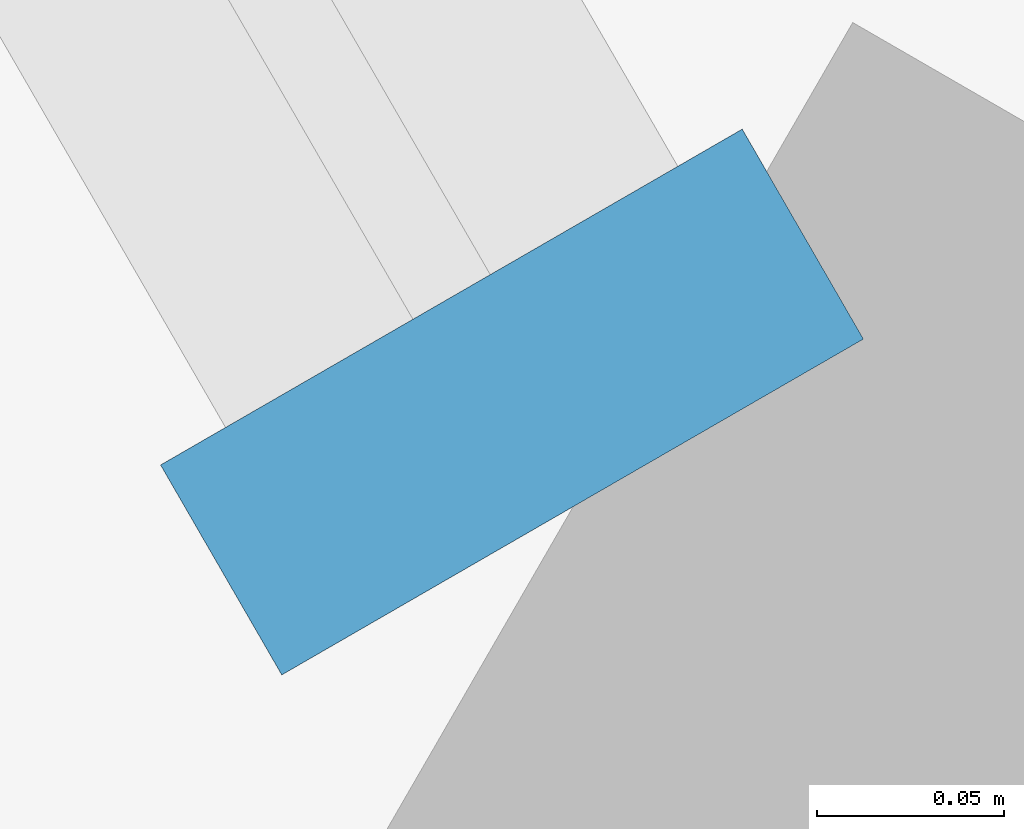
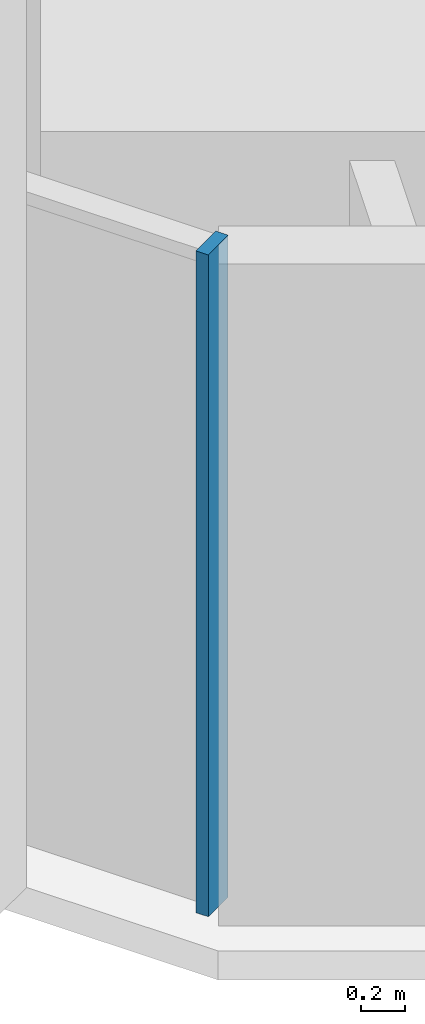
# One storey, part 16 of 256: 1 member, 1 element without a shape of its own.
"""IFC4 building model written with IfcOpenShell, lengths in metres."""

from ifc_helpers import new_model, si_unit, direction, frame, origin, origin_2d, place, context, subcontext, project, spatial, rectangle, extrude, material, material_profile, profile_set, type_object, element, aggregate, save


model = new_model("IFC4")

# Units and contexts
model_context = context("Model", 3, precision=1e-05, world=origin(), true_north=direction((0.0, 1.0)))
body_context = subcontext(model_context, "Body", "Model", "MODEL_VIEW")
ifc_project = project(units=[si_unit("LENGTHUNIT", "METRE"), si_unit("AREAUNIT", "SQUARE_METRE"), si_unit("VOLUMEUNIT", "CUBIC_METRE"), si_unit("PLANEANGLEUNIT", "RADIAN"), si_unit("MASSUNIT", "GRAM", prefix="KILO")], contexts=[model_context])

# Site, building, storey
site_placement = place(None, origin())
site = spatial("IfcSite", under=ifc_project, at=site_placement, CompositionType="ELEMENT")
building_placement = place(site_placement, origin())
building = spatial("IfcBuilding", under=site, at=building_placement, Name="Sandreach Pilgrim Tower", CompositionType="ELEMENT")
storey_placement = place(building_placement, frame((0.0, 0.0, 23.0)))
storey = spatial("IfcBuildingStorey", under=building, at=storey_placement, Name="L04", CompositionType="ELEMENT", Elevation=23.0)

# Curtain wall, member
ifc_material_1 = material(Name="Aluminium framed curtain wall", Category="aluminium")
curtain_wall_type = type_object("IfcCurtainWallType", Name="Hostel tower curtain wall", PredefinedType="NOTDEFINED", material=ifc_material_1)
curtain_wall_placement = place(storey_placement, origin())
curtain_wall = element("IfcCurtainWall", 1, at=curtain_wall_placement, inside=storey, type_object=curtain_wall_type, Name="CW-1 L04 SW", PredefinedType="NOTDEFINED")
ifc_material_2 = material(Name="Aluminium extrusion", Category="aluminium")
ifc_material_profile = material_profile(ifc_material_2, rectangle(XDim=0.06494140625, YDim=0.179931640625, at=origin_2d()), Name="CW-1M 65X180")
ifc_profile_set = profile_set([ifc_material_profile], Name="Aluminium extrusion")
member_type = type_object("IfcMemberType", Name="CW-1 mullion", PredefinedType="MULLION", material=ifc_profile_set)
member_placement = place(storey_placement, frame((-10.92041015625, -28.982666015625, 0.0), z_axis=(0.0, 0.0, 1.0), x_axis=(-0.5, 0.866025403784, 0.0)))
member = element("IfcMember", 2, at=member_placement, type_object=member_type, Name="CW-1 mullion 1", PredefinedType="MULLION", context=body_context, shape_type="SweptSolid", body=[
    extrude(rectangle(XDim=0.06494140625, YDim=0.179931640625, at=origin_2d()), origin(), (0.0, 0.0, 1.0), 3.639892578125),
])
aggregate(curtain_wall, [member])

save(model, "model.ifc")
